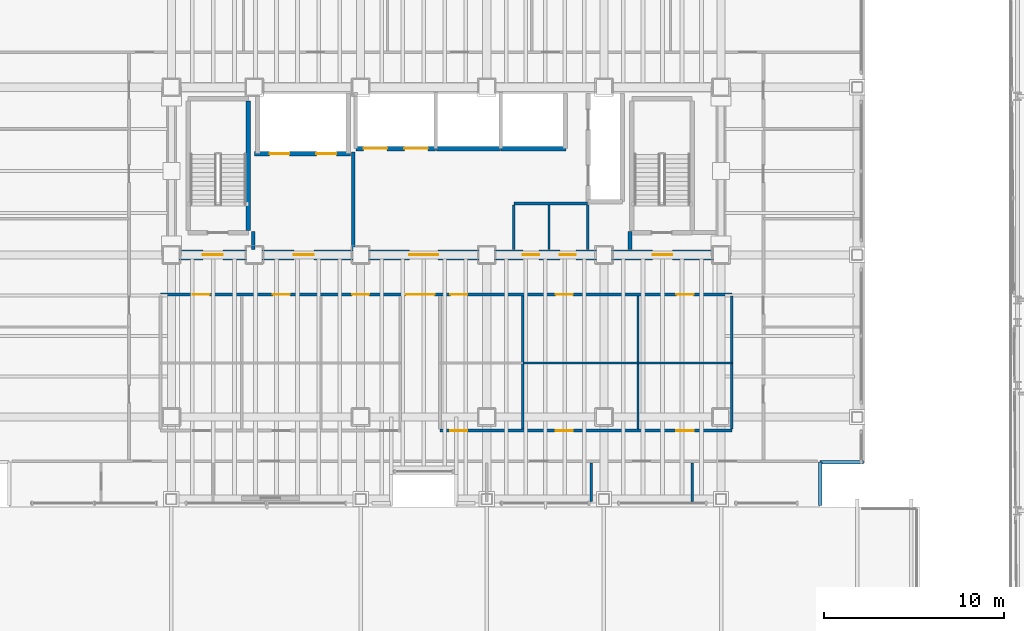
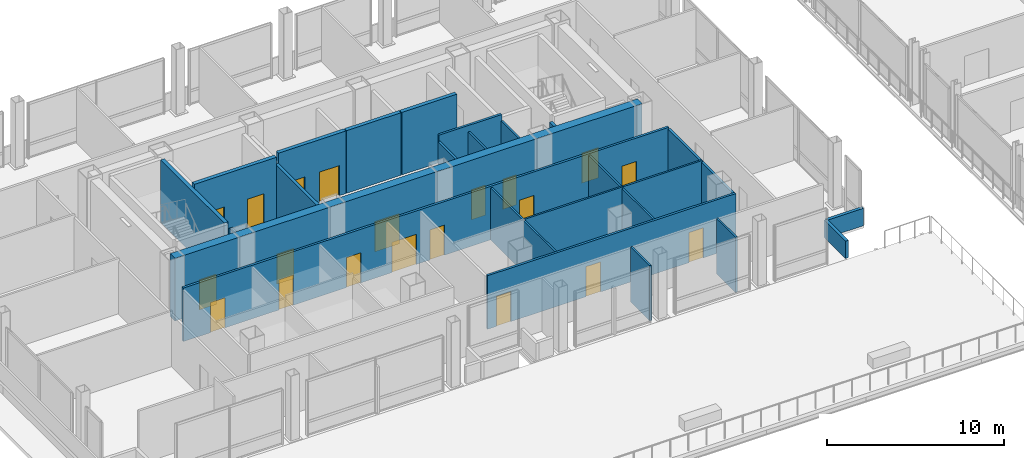
# One storey, part 27 of 34: 24 walls, 20 doors, 20 openings.
"""IFC4 building model written with IfcOpenShell, lengths in metres."""

from ifc_helpers import new_model, si_unit, direction, frame, frame_2d, origin, place, context, subcontext, project, spatial, rectangle, extrude, material, layer, layer_set, type_object, element, fill, save


model = new_model("IFC4")

# Units and contexts
model_context = context("Model", 3, precision=1e-05, world=origin(), true_north=direction((0.0, 1.0)))
body_context = subcontext(model_context, "Body", "Model", "MODEL_VIEW")
ifc_project = project(units=[si_unit("LENGTHUNIT", "METRE"), si_unit("AREAUNIT", "SQUARE_METRE"), si_unit("VOLUMEUNIT", "CUBIC_METRE"), si_unit("PLANEANGLEUNIT", "RADIAN"), si_unit("MASSUNIT", "GRAM", prefix="KILO")], contexts=[model_context])

# Site, building, storey
site_placement = place(None, origin())
site = spatial("IfcSite", under=ifc_project, at=site_placement, CompositionType="ELEMENT")
building_placement = place(site_placement, origin())
building = spatial("IfcBuilding", under=site, at=building_placement, Name="Noeulbin Bourse Tower", CompositionType="ELEMENT")
storey_placement = place(building_placement, frame((0.0, 0.0, 22.0)))
storey = spatial("IfcBuildingStorey", under=building, at=storey_placement, Name="L05", CompositionType="ELEMENT", Elevation=22.0)

# Wall, openings, doors
ifc_material_1 = material(Name="Concrete C60/75", Category="concrete")
ifc_layer_1 = layer(ifc_material_1, 0.550048828125)
ifc_layer_set_1 = layer_set([ifc_layer_1], Name="Concrete C60/75")
wall_type_1 = type_object("IfcWallType", Name="WAL-CORE-550", PredefinedType="SHEAR", material=ifc_layer_set_1)
wall_1_placement = place(storey_placement, frame((13.5, 29.0, 0.0), z_axis=(0.0, 0.0, 1.0), x_axis=(1.0, 0.0, 0.0)))
wall_1 = element("IfcWall", 1, at=wall_1_placement, inside=storey, type_object=wall_type_1, Name="Rear Core South Shear Wall L05", PredefinedType="SHEAR", context=body_context, shape_type="SweptSolid", body=[
    extrude(rectangle(XDim=30.5, YDim=0.550048828125, at=frame_2d((15.25, 0.0))), origin(), (0.0, 0.0, 1.0), 4.320068359375),
])
opening_1_placement = place(wall_1_placement, frame((1.75, 0.0, 0.0)))
opening_1 = element("IfcOpeningElement", 2, at=opening_1_placement, cuts=wall_1, Name="Opening FD-11", PredefinedType="OPENING", context=body_context, shape_type="SweptSolid", body=[
    extrude(rectangle(XDim=1.10009765625, YDim=2.080078125, at=frame_2d((0.550048828125, 1.0400390625))), frame((0.0, 0.284912109375, 0.0), z_axis=(0.0, -1.0, 0.0), x_axis=(1.0, 0.0, 0.0)), (0.0, 0.0, 1.0), 0.570068359375),
])
opening_2_placement = place(wall_1_placement, frame((26.699951171875, 0.0, 0.0)))
opening_2 = element("IfcOpeningElement", 3, at=opening_2_placement, cuts=wall_1, Name="Opening FD-11", PredefinedType="OPENING", context=body_context, shape_type="SweptSolid", body=[
    extrude(rectangle(XDim=1.10009765625, YDim=2.080078125, at=frame_2d((0.550048828125, 1.0400390625))), frame((0.0, 0.284912109375, 0.0), z_axis=(0.0, -1.0, 0.0), x_axis=(1.0, 0.0, 0.0)), (0.0, 0.0, 1.0), 0.570068359375),
])
opening_3_placement = place(wall_1_placement, frame((6.800048828125, 0.0, 0.0)))
opening_3 = element("IfcOpeningElement", 4, at=opening_3_placement, cuts=wall_1, Name="Opening FD-11", PredefinedType="OPENING", context=body_context, shape_type="SweptSolid", body=[
    extrude(rectangle(XDim=1.10009765625, YDim=2.080078125, at=frame_2d((0.550048828125, 1.0400390625))), frame((0.0, 0.284912109375, 0.0), z_axis=(0.0, -1.0, 0.0), x_axis=(1.0, 0.0, 0.0)), (0.0, 0.0, 1.0), 0.570068359375),
])
opening_4_placement = place(wall_1_placement, frame((13.199951171875, 0.0, 0.0)))
opening_4 = element("IfcOpeningElement", 5, at=opening_4_placement, cuts=wall_1, Name="Opening ID-16", PredefinedType="OPENING", context=body_context, shape_type="SweptSolid", body=[
    extrude(rectangle(XDim=1.60009765625, YDim=2.080078125, at=frame_2d((0.800048828125, 1.0400390625))), frame((0.0, 0.284912109375, 0.0), z_axis=(0.0, -1.0, 0.0), x_axis=(1.0, 0.0, 0.0)), (0.0, 0.0, 1.0), 0.570068359375),
])
opening_5_placement = place(wall_1_placement, frame((19.5, 0.0, 0.0)))
opening_5 = element("IfcOpeningElement", 6, at=opening_5_placement, cuts=wall_1, Name="Opening FD-09", PredefinedType="OPENING", context=body_context, shape_type="SweptSolid", body=[
    extrude(rectangle(XDim=0.89990234375, YDim=2.080078125, at=frame_2d((0.449951171875, 1.0400390625))), frame((0.0, 0.284912109375, 0.0), z_axis=(0.0, -1.0, 0.0), x_axis=(1.0, 0.0, 0.0)), (0.0, 0.0, 1.0), 0.570068359375),
])
opening_6_placement = place(wall_1_placement, frame((21.550048828125, 0.0, 0.0)))
opening_6 = element("IfcOpeningElement", 7, at=opening_6_placement, cuts=wall_1, Name="Opening FD-09", PredefinedType="OPENING", context=body_context, shape_type="SweptSolid", body=[
    extrude(rectangle(XDim=0.89990234375, YDim=2.080078125, at=frame_2d((0.449951171875, 1.0400390625))), frame((0.0, 0.284912109375, 0.0), z_axis=(0.0, -1.0, 0.0), x_axis=(1.0, 0.0, 0.0)), (0.0, 0.0, 1.0), 0.570068359375),
])
ifc_material_2 = material(Name="Acoustic Glazed Aluminium", Category="aluminium")
door_type_1 = type_object("IfcDoorType", Name="DR-DBL-1600", OperationType="DOUBLE_DOOR_SINGLE_SWING", PredefinedType="DOOR", material=ifc_material_2)
door_1_placement = place(opening_4_placement, origin())
door_1 = element("IfcDoor", 8, at=door_1_placement, inside=storey, type_object=door_type_1, Name="Passenger Lift Lobby Portal L05", OperationType="DOUBLE_DOOR_SINGLE_SWING", OverallHeight=2.080078125, OverallWidth=1.60009765625, PredefinedType="DOOR", context=body_context, shape_type="SweptSolid", body=[
    extrude(rectangle(XDim=1.60009765625, YDim=2.080078125, at=frame_2d((0.800048828125, 1.0400390625))), frame((0.0, 0.02490234375, 0.0), z_axis=(0.0, -1.0, 0.0), x_axis=(1.0, 0.0, 0.0)), (0.0, 0.0, 1.0), 0.050048828125),
])
fill(opening_4, door_1)
ifc_material_3 = material(Name="Fire-Rated Timber Core", Category="wood")
door_type_2 = type_object("IfcDoorType", Name="DR-FD30-900", OperationType="SINGLE_SWING_RIGHT", PredefinedType="DOOR", material=ifc_material_3)
door_2_placement = place(opening_5_placement, origin())
door_2 = element("IfcDoor", 9, at=door_2_placement, inside=storey, type_object=door_type_2, Name="Interior Door L05-05", OperationType="SINGLE_SWING_LEFT", OverallHeight=2.080078125, OverallWidth=0.89990234375, PredefinedType="DOOR", context=body_context, shape_type="SweptSolid", body=[
    extrude(rectangle(XDim=0.89990234375, YDim=2.080078125, at=frame_2d((0.449951171875, 1.0400390625))), frame((0.0, 0.02490234375, 0.0), z_axis=(0.0, -1.0, 0.0), x_axis=(1.0, 0.0, 0.0)), (0.0, 0.0, 1.0), 0.050048828125),
])
fill(opening_5, door_2)
door_3_placement = place(opening_6_placement, origin())
door_3 = element("IfcDoor", 10, at=door_3_placement, inside=storey, type_object=door_type_2, Name="Interior Door L05-06", OperationType="SINGLE_SWING_RIGHT", OverallHeight=2.080078125, OverallWidth=0.89990234375, PredefinedType="DOOR", context=body_context, shape_type="SweptSolid", body=[
    extrude(rectangle(XDim=0.89990234375, YDim=2.080078125, at=frame_2d((0.449951171875, 1.0400390625))), frame((0.0, 0.02490234375, 0.0), z_axis=(0.0, -1.0, 0.0), x_axis=(1.0, 0.0, 0.0)), (0.0, 0.0, 1.0), 0.050048828125),
])
fill(opening_6, door_3)
ifc_material_4 = material(Name="Fire-Rated Insulated Steel", Category="steel")
door_type_3 = type_object("IfcDoorType", Name="DR-FD60-1100", OperationType="SINGLE_SWING_LEFT", PredefinedType="DOOR", material=ifc_material_4)
door_4_placement = place(opening_1_placement, origin())
door_4 = element("IfcDoor", 11, at=door_4_placement, inside=storey, type_object=door_type_3, Name="West Stair Lobby Door L05", OperationType="SINGLE_SWING_LEFT", OverallHeight=2.080078125, OverallWidth=1.10009765625, PredefinedType="DOOR", context=body_context, shape_type="SweptSolid", body=[
    extrude(rectangle(XDim=1.10009765625, YDim=2.080078125, at=frame_2d((0.550048828125, 1.0400390625))), frame((0.0, 0.02490234375, 0.0), z_axis=(0.0, -1.0, 0.0), x_axis=(1.0, 0.0, 0.0)), (0.0, 0.0, 1.0), 0.050048828125),
])
fill(opening_1, door_4)
door_5_placement = place(opening_2_placement, origin())
door_5 = element("IfcDoor", 12, at=door_5_placement, inside=storey, type_object=door_type_3, Name="East Stair Lobby Door L05", OperationType="SINGLE_SWING_RIGHT", OverallHeight=2.080078125, OverallWidth=1.10009765625, PredefinedType="DOOR", context=body_context, shape_type="SweptSolid", body=[
    extrude(rectangle(XDim=1.10009765625, YDim=2.080078125, at=frame_2d((0.550048828125, 1.0400390625))), frame((0.0, 0.02490234375, 0.0), z_axis=(0.0, -1.0, 0.0), x_axis=(1.0, 0.0, 0.0)), (0.0, 0.0, 1.0), 0.050048828125),
])
fill(opening_2, door_5)
door_6_placement = place(opening_3_placement, origin())
door_6 = element("IfcDoor", 13, at=door_6_placement, inside=storey, type_object=door_type_3, Name="Firefighting Lobby Door L05", OperationType="SINGLE_SWING_LEFT", OverallHeight=2.080078125, OverallWidth=1.10009765625, PredefinedType="DOOR", context=body_context, shape_type="SweptSolid", body=[
    extrude(rectangle(XDim=1.10009765625, YDim=2.080078125, at=frame_2d((0.550048828125, 1.0400390625))), frame((0.0, 0.02490234375, 0.0), z_axis=(0.0, -1.0, 0.0), x_axis=(1.0, 0.0, 0.0)), (0.0, 0.0, 1.0), 0.050048828125),
])
fill(opening_3, door_6)

# Walls
ifc_material_5 = material(Name="Concrete C40/50", Category="concrete")
ifc_layer_2 = layer(ifc_material_5, 0.199951171875)
ifc_layer_set_2 = layer_set([ifc_layer_2], Name="Concrete C40/50")
wall_type_2 = type_object("IfcWallType", Name="WAL-FIRE-200", PredefinedType="STANDARD", material=ifc_layer_set_2)
for number, where, z_axis, x_axis, name in (
    (14, (18.050048828125, 29.284912109375, 0.0), (0.0, 0.0, 1.0), (0.0, 1.0, 0.0), "Interior Partition Wall L05-22"),
    (15, (38.949951171875, 29.284912109375, 0.0), (0.0, 0.0, 1.0), (0.0, 1.0, 0.0), "Interior Partition Wall L05-23"),
):
    element("IfcWall", number, at=place(storey_placement, frame(where, z_axis=z_axis, x_axis=x_axis)), inside=storey, type_object=wall_type_2, Name=name, PredefinedType="STANDARD", context=body_context, shape_type="SweptSolid", body=[
        extrude(rectangle(XDim=1.01513671875, YDim=0.199951171875, at=frame_2d((0.507568359375, 0.0))), origin(), (0.0, 0.0, 1.0), 3.89990234375),
    ])
wall_2_placement = place(storey_placement, frame((23.60009765625, 29.284912109375, 0.0), z_axis=(0.0, 0.0, 1.0), x_axis=(0.0, 1.0, 0.0)))
element("IfcWall", 16, at=wall_2_placement, inside=storey, type_object=wall_type_2, Name="Interior Partition Wall L05-24", PredefinedType="STANDARD", context=body_context, shape_type="SweptSolid", body=[
    extrude(rectangle(XDim=5.4150390625, YDim=0.199951171875, at=frame_2d((2.70751953125, 0.0))), origin(), (0.0, 0.0, 1.0), 3.699951171875),
])
ifc_layer_3 = layer(ifc_material_5, 0.199951171875)
ifc_layer_set_3 = layer_set([ifc_layer_3], Name="Concrete C40/50")
wall_type_3 = type_object("IfcWallType", Name="WAL-PAR-200", PredefinedType="PARAPET", material=ifc_layer_set_3)
for number, where, z_axis, x_axis, name in (
    (17, (49.5, 15.10009765625, 0.0), (0.0, 0.0, 1.0), (0.0, 1.0, 0.0), "Corner Notch Parapet L05-SE1"),
    (18, (49.5, 17.5, 0.0), (0.0, 0.0, 1.0), (1.0, 0.0, 0.0), "Corner Notch Parapet L05-SE2"),
):
    element("IfcWall", number, at=place(storey_placement, frame(where, z_axis=z_axis, x_axis=x_axis)), inside=storey, type_object=wall_type_3, Name=name, PredefinedType="PARAPET", context=body_context, shape_type="SweptSolid", body=[
        extrude(rectangle(XDim=2.39990234375, YDim=0.199951171875, at=frame_2d((1.199951171875, 0.0))), origin(), (0.0, 0.0, 1.0), 1.199951171875),
    ])
ifc_material_6 = material(Name="Steel Stud Gypsum Partition", Category="steel")
ifc_layer_4 = layer(ifc_material_6, 0.1201171875)
ifc_layer_set_4 = layer_set([ifc_layer_4], Name="Steel Stud Gypsum Partition")
wall_type_4 = type_object("IfcWallType", Name="WAL-PRT-120", PredefinedType="PARTITIONING", material=ifc_layer_set_4)
wall_3_placement = place(storey_placement, frame((33.0, 23.0, 0.0), z_axis=(0.0, 0.0, 1.0), x_axis=(1.0, 0.0, 0.0)))
element("IfcWall", 19, at=wall_3_placement, inside=storey, type_object=wall_type_4, Name="Interior Partition Wall L05-11", PredefinedType="PARTITIONING", context=body_context, shape_type="SweptSolid", body=[
    extrude(rectangle(XDim=6.39990234375, YDim=0.1201171875, at=frame_2d((3.199951171875, 0.0))), origin(), (0.0, 0.0, 1.0), 3.699951171875),
])
wall_4_placement = place(storey_placement, frame((39.39990234375, 23.0, 0.0), z_axis=(0.0, 0.0, 1.0), x_axis=(1.0, 0.0, 0.0)))
element("IfcWall", 20, at=wall_4_placement, inside=storey, type_object=wall_type_4, Name="Interior Partition Wall L05-12", PredefinedType="PARTITIONING", context=body_context, shape_type="SweptSolid", body=[
    extrude(rectangle(XDim=5.2001953125, YDim=0.1201171875, at=frame_2d((2.60009765625, 0.0))), origin(), (0.0, 0.0, 1.0), 3.699951171875),
])
for number, where, z_axis, x_axis, name in (
    (21, (36.60009765625, 29.284912109375, 0.0), (0.0, 0.0, 1.0), (0.0, 1.0, 0.0), "Interior Partition Wall L05-26"),
    (22, (34.449951171875, 29.284912109375, 0.0), (0.0, 0.0, 1.0), (0.0, 1.0, 0.0), "Interior Partition Wall L05-27"),
):
    element("IfcWall", number, at=place(storey_placement, frame(where, z_axis=z_axis, x_axis=x_axis)), inside=storey, type_object=wall_type_4, Name=name, PredefinedType="PARTITIONING", context=body_context, shape_type="SweptSolid", body=[
        extrude(rectangle(XDim=2.47998046875, YDim=0.1201171875, at=frame_2d((1.239990234375, 0.0))), origin(), (0.0, 0.0, 1.0), 3.89990234375),
    ])
for number, where, z_axis, x_axis, name in (
    (23, (36.800048828125, 15.31005859375, 0.0), (0.0, 0.0, 1.0), (0.0, 1.0, 0.0), "Interior Partition Wall L05-37"),
    (24, (42.39990234375, 15.31005859375, 0.0), (0.0, 0.0, 1.0), (0.0, 1.0, 0.0), "Interior Partition Wall L05-38"),
):
    element("IfcWall", number, at=place(storey_placement, frame(where, z_axis=z_axis, x_axis=x_axis)), inside=storey, type_object=wall_type_4, Name=name, PredefinedType="PARTITIONING", context=body_context, shape_type="SweptSolid", body=[
        extrude(rectangle(XDim=2.155029296875, YDim=0.1201171875, at=frame_2d((1.07763671875, 0.0))), origin(), (0.0, 0.0, 1.0), 3.81201171875),
    ])
for number, where, z_axis, x_axis, name in (
    (25, (33.0, 19.3349609375, 0.0), (0.0, 0.0, 1.0), (0.0, 1.0, 0.0), "Interior Partition Wall L05-41"),
    (26, (39.39990234375, 19.3349609375, 0.0), (0.0, 0.0, 1.0), (0.0, 1.0, 0.0), "Interior Partition Wall L05-42"),
):
    element("IfcWall", number, at=place(storey_placement, frame(where, z_axis=z_axis, x_axis=x_axis)), inside=storey, type_object=wall_type_4, Name=name, PredefinedType="PARTITIONING", context=body_context, shape_type="SweptSolid", body=[
        extrude(rectangle(XDim=7.380126953125, YDim=0.1201171875, at=frame_2d((3.68994140625, 0.0))), origin(), (0.0, 0.0, 1.0), 3.60009765625),
    ])
ifc_material_7 = material(Name="Steel Stud Acoustic Gypsum Board", Category="steel")
ifc_layer_5 = layer(ifc_material_7, 0.14990234375)
ifc_layer_set_5 = layer_set([ifc_layer_5], Name="Steel Stud Acoustic Gypsum Board")
wall_type_5 = type_object("IfcWallType", Name="WAL-PRT-150", PredefinedType="PARTITIONING", material=ifc_layer_set_5)
wall_5_placement = place(storey_placement, frame((32.5, 31.85009765625, 0.0), z_axis=(0.0, 0.0, 1.0), x_axis=(1.0, 0.0, 0.0)))
element("IfcWall", 27, at=wall_5_placement, inside=storey, type_object=wall_type_5, Name="Interior Partition Wall L05-02", PredefinedType="PARTITIONING", context=body_context, shape_type="SweptSolid", body=[
    extrude(rectangle(XDim=4.10009765625, YDim=0.14990234375, at=frame_2d((2.050048828125, 0.0))), origin(), (0.0, 0.0, 1.0), 4.320068359375),
])

# Wall, openings, doors
wall_6_placement = place(storey_placement, frame((12.89990234375, 26.800048828125, 0.0), z_axis=(0.0, 0.0, 1.0), x_axis=(1.0, 0.0, 0.0)))
wall_6 = element("IfcWall", 28, at=wall_6_placement, inside=storey, type_object=wall_type_5, Name="Interior Partition Wall L05-03", PredefinedType="PARTITIONING", context=body_context, shape_type="SweptSolid", body=[
    extrude(rectangle(XDim=31.7001953125, YDim=0.14990234375, at=frame_2d((15.85009765625, 0.0))), origin(), (0.0, 0.0, 1.0), 3.699951171875),
])
opening_7_placement = place(wall_6_placement, frame((13.60009765625, 0.0, 0.0)))
opening_7 = element("IfcOpeningElement", 29, at=opening_7_placement, cuts=wall_6, Name="Opening ID-16", PredefinedType="OPENING", context=body_context, shape_type="SweptSolid", body=[
    extrude(rectangle(XDim=1.60009765625, YDim=2.080078125, at=frame_2d((0.800048828125, 1.0400390625))), frame((0.0, 0.0849609375, 0.0), z_axis=(0.0, -1.0, 0.0), x_axis=(1.0, 0.0, 0.0)), (0.0, 0.0, 1.0), 0.169921875),
])
opening_8_placement = place(wall_6_placement, frame((1.77490234375, 0.0, 0.0)))
opening_8 = element("IfcOpeningElement", 30, at=opening_8_placement, cuts=wall_6, Name="Opening ID-09", PredefinedType="OPENING", context=body_context, shape_type="SweptSolid", body=[
    extrude(rectangle(XDim=0.949951171875, YDim=2.080078125, at=frame_2d((0.47509765625, 1.0400390625))), frame((0.0, 0.0849609375, 0.0), z_axis=(0.0, -1.0, 0.0), x_axis=(1.0, 0.0, 0.0)), (0.0, 0.0, 1.0), 0.169921875),
])
opening_9_placement = place(wall_6_placement, frame((6.22509765625, 0.0, 0.0)))
opening_9 = element("IfcOpeningElement", 31, at=opening_9_placement, cuts=wall_6, Name="Opening ID-09", PredefinedType="OPENING", context=body_context, shape_type="SweptSolid", body=[
    extrude(rectangle(XDim=0.949951171875, YDim=2.080078125, at=frame_2d((0.47509765625, 1.0400390625))), frame((0.0, 0.0849609375, 0.0), z_axis=(0.0, -1.0, 0.0), x_axis=(1.0, 0.0, 0.0)), (0.0, 0.0, 1.0), 0.169921875),
])
opening_10_placement = place(wall_6_placement, frame((10.625, 0.0, 0.0)))
opening_10 = element("IfcOpeningElement", 32, at=opening_10_placement, cuts=wall_6, Name="Opening ID-09", PredefinedType="OPENING", context=body_context, shape_type="SweptSolid", body=[
    extrude(rectangle(XDim=0.949951171875, YDim=2.080078125, at=frame_2d((0.47509765625, 1.0400390625))), frame((0.0, 0.0849609375, 0.0), z_axis=(0.0, -1.0, 0.0), x_axis=(1.0, 0.0, 0.0)), (0.0, 0.0, 1.0), 0.169921875),
])
opening_11_placement = place(wall_6_placement, frame((16.074951171875, 0.0, 0.0)))
opening_11 = element("IfcOpeningElement", 33, at=opening_11_placement, cuts=wall_6, Name="Opening ID-09", PredefinedType="OPENING", context=body_context, shape_type="SweptSolid", body=[
    extrude(rectangle(XDim=0.949951171875, YDim=2.080078125, at=frame_2d((0.47509765625, 1.0400390625))), frame((0.0, 0.0849609375, 0.0), z_axis=(0.0, -1.0, 0.0), x_axis=(1.0, 0.0, 0.0)), (0.0, 0.0, 1.0), 0.169921875),
])
opening_12_placement = place(wall_6_placement, frame((21.925048828125, 0.0, 0.0)))
opening_12 = element("IfcOpeningElement", 34, at=opening_12_placement, cuts=wall_6, Name="Opening ID-09", PredefinedType="OPENING", context=body_context, shape_type="SweptSolid", body=[
    extrude(rectangle(XDim=0.949951171875, YDim=2.080078125, at=frame_2d((0.47509765625, 1.0400390625))), frame((0.0, 0.0849609375, 0.0), z_axis=(0.0, -1.0, 0.0), x_axis=(1.0, 0.0, 0.0)), (0.0, 0.0, 1.0), 0.169921875),
])
opening_13_placement = place(wall_6_placement, frame((28.625, 0.0, 0.0)))
opening_13 = element("IfcOpeningElement", 35, at=opening_13_placement, cuts=wall_6, Name="Opening ID-09", PredefinedType="OPENING", context=body_context, shape_type="SweptSolid", body=[
    extrude(rectangle(XDim=0.949951171875, YDim=2.080078125, at=frame_2d((0.47509765625, 1.0400390625))), frame((0.0, 0.0849609375, 0.0), z_axis=(0.0, -1.0, 0.0), x_axis=(1.0, 0.0, 0.0)), (0.0, 0.0, 1.0), 0.169921875),
])
door_7_placement = place(opening_7_placement, origin())
door_7 = element("IfcDoor", 36, at=door_7_placement, inside=storey, type_object=door_type_1, Name="Interior Door L05-07", OperationType="DOUBLE_DOOR_SINGLE_SWING", OverallHeight=2.080078125, OverallWidth=1.60009765625, PredefinedType="DOOR", context=body_context, shape_type="SweptSolid", body=[
    extrude(rectangle(XDim=1.60009765625, YDim=2.080078125, at=frame_2d((0.800048828125, 1.0400390625))), frame((0.0, 0.02490234375, 0.0), z_axis=(0.0, -1.0, 0.0), x_axis=(1.0, 0.0, 0.0)), (0.0, 0.0, 1.0), 0.050048828125),
])
fill(opening_7, door_7)
ifc_material_8 = material(Name="Acoustic Solid-Core Timber", Category="wood")
door_type_4 = type_object("IfcDoorType", Name="DR-SINGLE-950", OperationType="SINGLE_SWING_LEFT", PredefinedType="DOOR", material=ifc_material_8)
door_8_placement = place(opening_8_placement, origin())
door_8 = element("IfcDoor", 37, at=door_8_placement, inside=storey, type_object=door_type_4, Name="Interior Door L05-14", OperationType="SINGLE_SWING_RIGHT", OverallHeight=2.080078125, OverallWidth=0.949951171875, PredefinedType="DOOR", context=body_context, shape_type="SweptSolid", body=[
    extrude(rectangle(XDim=0.949951171875, YDim=2.080078125, at=frame_2d((0.47509765625, 1.0400390625))), frame((0.0, 0.02490234375, 0.0), z_axis=(0.0, -1.0, 0.0), x_axis=(1.0, 0.0, 0.0)), (0.0, 0.0, 1.0), 0.050048828125),
])
fill(opening_8, door_8)
door_9_placement = place(opening_9_placement, origin())
door_9 = element("IfcDoor", 38, at=door_9_placement, inside=storey, type_object=door_type_4, Name="Interior Door L05-16", OperationType="SINGLE_SWING_RIGHT", OverallHeight=2.080078125, OverallWidth=0.949951171875, PredefinedType="DOOR", context=body_context, shape_type="SweptSolid", body=[
    extrude(rectangle(XDim=0.949951171875, YDim=2.080078125, at=frame_2d((0.47509765625, 1.0400390625))), frame((0.0, 0.02490234375, 0.0), z_axis=(0.0, -1.0, 0.0), x_axis=(1.0, 0.0, 0.0)), (0.0, 0.0, 1.0), 0.050048828125),
])
fill(opening_9, door_9)
door_10_placement = place(opening_10_placement, origin())
door_10 = element("IfcDoor", 39, at=door_10_placement, inside=storey, type_object=door_type_4, Name="Interior Door L05-18", OperationType="SINGLE_SWING_RIGHT", OverallHeight=2.080078125, OverallWidth=0.949951171875, PredefinedType="DOOR", context=body_context, shape_type="SweptSolid", body=[
    extrude(rectangle(XDim=0.949951171875, YDim=2.080078125, at=frame_2d((0.47509765625, 1.0400390625))), frame((0.0, 0.02490234375, 0.0), z_axis=(0.0, -1.0, 0.0), x_axis=(1.0, 0.0, 0.0)), (0.0, 0.0, 1.0), 0.050048828125),
])
fill(opening_10, door_10)
door_11_placement = place(opening_11_placement, origin())
door_11 = element("IfcDoor", 40, at=door_11_placement, inside=storey, type_object=door_type_4, Name="Interior Door L05-20", OperationType="SINGLE_SWING_RIGHT", OverallHeight=2.080078125, OverallWidth=0.949951171875, PredefinedType="DOOR", context=body_context, shape_type="SweptSolid", body=[
    extrude(rectangle(XDim=0.949951171875, YDim=2.080078125, at=frame_2d((0.47509765625, 1.0400390625))), frame((0.0, 0.02490234375, 0.0), z_axis=(0.0, -1.0, 0.0), x_axis=(1.0, 0.0, 0.0)), (0.0, 0.0, 1.0), 0.050048828125),
])
fill(opening_11, door_11)
door_12_placement = place(opening_12_placement, origin())
door_12 = element("IfcDoor", 41, at=door_12_placement, inside=storey, type_object=door_type_4, Name="Interior Door L05-22", OperationType="SINGLE_SWING_RIGHT", OverallHeight=2.080078125, OverallWidth=0.949951171875, PredefinedType="DOOR", context=body_context, shape_type="SweptSolid", body=[
    extrude(rectangle(XDim=0.949951171875, YDim=2.080078125, at=frame_2d((0.47509765625, 1.0400390625))), frame((0.0, 0.02490234375, 0.0), z_axis=(0.0, -1.0, 0.0), x_axis=(1.0, 0.0, 0.0)), (0.0, 0.0, 1.0), 0.050048828125),
])
fill(opening_12, door_12)
door_13_placement = place(opening_13_placement, origin())
door_13 = element("IfcDoor", 42, at=door_13_placement, inside=storey, type_object=door_type_4, Name="Interior Door L05-24", OperationType="SINGLE_SWING_RIGHT", OverallHeight=2.080078125, OverallWidth=0.949951171875, PredefinedType="DOOR", context=body_context, shape_type="SweptSolid", body=[
    extrude(rectangle(XDim=0.949951171875, YDim=2.080078125, at=frame_2d((0.47509765625, 1.0400390625))), frame((0.0, 0.02490234375, 0.0), z_axis=(0.0, -1.0, 0.0), x_axis=(1.0, 0.0, 0.0)), (0.0, 0.0, 1.0), 0.050048828125),
])
fill(opening_13, door_13)

wall_7_placement = place(storey_placement, frame((28.39990234375, 19.25, 0.0), z_axis=(0.0, 0.0, 1.0), x_axis=(1.0, 0.0, 0.0)))
wall_7 = element("IfcWall", 43, at=wall_7_placement, inside=storey, type_object=wall_type_5, Name="Interior Partition Wall L05-06", PredefinedType="PARTITIONING", context=body_context, shape_type="SweptSolid", body=[
    extrude(rectangle(XDim=16.2001953125, YDim=0.14990234375, at=frame_2d((8.10009765625, 0.0))), origin(), (0.0, 0.0, 1.0), 3.699951171875),
])
opening_14_placement = place(wall_7_placement, frame((0.574951171875, 0.0, 0.0)))
opening_14 = element("IfcOpeningElement", 44, at=opening_14_placement, cuts=wall_7, Name="Opening ID-09", PredefinedType="OPENING", context=body_context, shape_type="SweptSolid", body=[
    extrude(rectangle(XDim=0.949951171875, YDim=2.080078125, at=frame_2d((0.47509765625, 1.0400390625))), frame((0.0, 0.0849609375, 0.0), z_axis=(0.0, -1.0, 0.0), x_axis=(1.0, 0.0, 0.0)), (0.0, 0.0, 1.0), 0.169921875),
])
opening_15_placement = place(wall_7_placement, frame((6.425048828125, 0.0, 0.0)))
opening_15 = element("IfcOpeningElement", 45, at=opening_15_placement, cuts=wall_7, Name="Opening ID-09", PredefinedType="OPENING", context=body_context, shape_type="SweptSolid", body=[
    extrude(rectangle(XDim=0.949951171875, YDim=2.080078125, at=frame_2d((0.47509765625, 1.0400390625))), frame((0.0, 0.0849609375, 0.0), z_axis=(0.0, -1.0, 0.0), x_axis=(1.0, 0.0, 0.0)), (0.0, 0.0, 1.0), 0.169921875),
])
opening_16_placement = place(wall_7_placement, frame((13.125, 0.0, 0.0)))
opening_16 = element("IfcOpeningElement", 46, at=opening_16_placement, cuts=wall_7, Name="Opening ID-09", PredefinedType="OPENING", context=body_context, shape_type="SweptSolid", body=[
    extrude(rectangle(XDim=0.949951171875, YDim=2.080078125, at=frame_2d((0.47509765625, 1.0400390625))), frame((0.0, 0.0849609375, 0.0), z_axis=(0.0, -1.0, 0.0), x_axis=(1.0, 0.0, 0.0)), (0.0, 0.0, 1.0), 0.169921875),
])
door_14_placement = place(opening_14_placement, origin())
door_14 = element("IfcDoor", 47, at=door_14_placement, inside=storey, type_object=door_type_4, Name="Interior Door L05-21", OperationType="SINGLE_SWING_LEFT", OverallHeight=2.080078125, OverallWidth=0.949951171875, PredefinedType="DOOR", context=body_context, shape_type="SweptSolid", body=[
    extrude(rectangle(XDim=0.949951171875, YDim=2.080078125, at=frame_2d((0.47509765625, 1.0400390625))), frame((0.0, 0.02490234375, 0.0), z_axis=(0.0, -1.0, 0.0), x_axis=(1.0, 0.0, 0.0)), (0.0, 0.0, 1.0), 0.050048828125),
])
fill(opening_14, door_14)
door_15_placement = place(opening_15_placement, origin())
door_15 = element("IfcDoor", 48, at=door_15_placement, inside=storey, type_object=door_type_4, Name="Interior Door L05-23", OperationType="SINGLE_SWING_LEFT", OverallHeight=2.080078125, OverallWidth=0.949951171875, PredefinedType="DOOR", context=body_context, shape_type="SweptSolid", body=[
    extrude(rectangle(XDim=0.949951171875, YDim=2.080078125, at=frame_2d((0.47509765625, 1.0400390625))), frame((0.0, 0.02490234375, 0.0), z_axis=(0.0, -1.0, 0.0), x_axis=(1.0, 0.0, 0.0)), (0.0, 0.0, 1.0), 0.050048828125),
])
fill(opening_15, door_15)
door_16_placement = place(opening_16_placement, origin())
door_16 = element("IfcDoor", 49, at=door_16_placement, inside=storey, type_object=door_type_4, Name="Interior Door L05-25", OperationType="SINGLE_SWING_LEFT", OverallHeight=2.080078125, OverallWidth=0.949951171875, PredefinedType="DOOR", context=body_context, shape_type="SweptSolid", body=[
    extrude(rectangle(XDim=0.949951171875, YDim=2.080078125, at=frame_2d((0.47509765625, 1.0400390625))), frame((0.0, 0.02490234375, 0.0), z_axis=(0.0, -1.0, 0.0), x_axis=(1.0, 0.0, 0.0)), (0.0, 0.0, 1.0), 0.050048828125),
])
fill(opening_16, door_16)

# Walls
wall_8_placement = place(storey_placement, frame((32.5, 29.284912109375, 0.0), z_axis=(0.0, 0.0, 1.0), x_axis=(0.0, 1.0, 0.0)))
element("IfcWall", 50, at=wall_8_placement, inside=storey, type_object=wall_type_5, Name="Interior Partition Wall L05-25", PredefinedType="PARTITIONING", context=body_context, shape_type="SweptSolid", body=[
    extrude(rectangle(XDim=2.47998046875, YDim=0.14990234375, at=frame_2d((1.239990234375, 0.0))), origin(), (0.0, 0.0, 1.0), 3.89990234375),
])
wall_9_placement = place(storey_placement, frame((44.60009765625, 19.3349609375, 0.0), z_axis=(0.0, 0.0, 1.0), x_axis=(0.0, 1.0, 0.0)))
element("IfcWall", 51, at=wall_9_placement, inside=storey, type_object=wall_type_5, Name="Interior Partition Wall L05-33", PredefinedType="PARTITIONING", context=body_context, shape_type="SweptSolid", body=[
    extrude(rectangle(XDim=7.380126953125, YDim=0.14990234375, at=frame_2d((3.68994140625, 0.0))), origin(), (0.0, 0.0, 1.0), 3.60009765625),
])
ifc_layer_6 = layer(ifc_material_5, 0.25)
ifc_layer_set_6 = layer_set([ifc_layer_6], Name="Concrete C40/50")
wall_type_6 = type_object("IfcWallType", Name="WAL-SHFT-250", PredefinedType="STANDARD", material=ifc_layer_set_6)
wall_10_placement = place(storey_placement, frame((17.77490234375, 30.360107421875, 0.0), z_axis=(0.0, 0.0, 1.0), x_axis=(0.0, 1.0, 0.0)))
element("IfcWall", 52, at=wall_10_placement, inside=storey, type_object=wall_type_6, Name="Stair ST-1 East Shaft Wall L05", PredefinedType="STANDARD", context=body_context, shape_type="SweptSolid", body=[
    extrude(rectangle(XDim=7.183837890625, YDim=0.25, at=frame_2d((3.591796875, 0.0))), origin(), (0.0, 0.0, 1.0), 4.320068359375),
])

# Wall, openings, doors
wall_11_placement = place(storey_placement, frame((18.10009765625, 34.6201171875, 0.0), z_axis=(0.0, 0.0, 1.0), x_axis=(1.0, 0.0, 0.0)))
wall_11 = element("IfcWall", 53, at=wall_11_placement, inside=storey, type_object=wall_type_6, Name="Firefighting Lift Shaft Front L05", PredefinedType="STANDARD", context=body_context, shape_type="SweptSolid", body=[
    extrude(rectangle(XDim=5.349853515625, YDim=0.25, at=frame_2d((2.6748046875, 0.0))), origin(), (0.0, 0.0, 1.0), 4.320068359375),
])
opening_17_placement = place(wall_11_placement, frame((0.85009765625, 0.0, 0.0)))
opening_17 = element("IfcOpeningElement", 54, at=opening_17_placement, cuts=wall_11, Name="Opening LD-11", PredefinedType="OPENING", context=body_context, shape_type="SweptSolid", body=[
    extrude(rectangle(XDim=1.10009765625, YDim=2.080078125, at=frame_2d((0.550048828125, 1.0400390625))), frame((0.0, 0.135009765625, 0.0), z_axis=(0.0, -1.0, 0.0), x_axis=(1.0, 0.0, 0.0)), (0.0, 0.0, 1.0), 0.27001953125),
])
opening_18_placement = place(wall_11_placement, frame((3.449951171875, 0.0, 0.0)))
opening_18 = element("IfcOpeningElement", 55, at=opening_18_placement, cuts=wall_11, Name="Opening LD-11", PredefinedType="OPENING", context=body_context, shape_type="SweptSolid", body=[
    extrude(rectangle(XDim=1.10009765625, YDim=2.080078125, at=frame_2d((0.550048828125, 1.0400390625))), frame((0.0, 0.135009765625, 0.0), z_axis=(0.0, -1.0, 0.0), x_axis=(1.0, 0.0, 0.0)), (0.0, 0.0, 1.0), 0.27001953125),
])
ifc_material_9 = material(Name="Brushed Stainless Steel 316", Category="steel")
door_type_5 = type_object("IfcDoorType", Name="DR-LIFT-1100", OperationType="SLIDING_TO_LEFT", PredefinedType="DOOR", material=ifc_material_9)
door_17_placement = place(opening_17_placement, origin())
door_17 = element("IfcDoor", 56, at=door_17_placement, inside=storey, type_object=door_type_5, Name="Lift Landing Door LD-FL-01-L05", OperationType="SLIDING_TO_LEFT", OverallHeight=2.080078125, OverallWidth=1.10009765625, PredefinedType="DOOR", context=body_context, shape_type="SweptSolid", body=[
    extrude(rectangle(XDim=1.10009765625, YDim=2.080078125, at=frame_2d((0.550048828125, 1.0400390625))), frame((0.0, 0.02490234375, 0.0), z_axis=(0.0, -1.0, 0.0), x_axis=(1.0, 0.0, 0.0)), (0.0, 0.0, 1.0), 0.050048828125),
])
fill(opening_17, door_17)
door_18_placement = place(opening_18_placement, origin())
door_18 = element("IfcDoor", 57, at=door_18_placement, inside=storey, type_object=door_type_5, Name="Lift Landing Door LD-FL-02-L05", OperationType="SLIDING_TO_LEFT", OverallHeight=2.080078125, OverallWidth=1.10009765625, PredefinedType="DOOR", context=body_context, shape_type="SweptSolid", body=[
    extrude(rectangle(XDim=1.10009765625, YDim=2.080078125, at=frame_2d((0.550048828125, 1.0400390625))), frame((0.0, 0.02490234375, 0.0), z_axis=(0.0, -1.0, 0.0), x_axis=(1.0, 0.0, 0.0)), (0.0, 0.0, 1.0), 0.050048828125),
])
fill(opening_18, door_18)

wall_12_placement = place(storey_placement, frame((23.75, 34.89990234375, 0.0), z_axis=(0.0, 0.0, 1.0), x_axis=(1.0, 0.0, 0.0)))
wall_12 = element("IfcWall", 58, at=wall_12_placement, inside=storey, type_object=wall_type_6, Name="Low-Rise Lift Bank Front L05", PredefinedType="STANDARD", context=body_context, shape_type="SweptSolid", body=[
    extrude(rectangle(XDim=4.39990234375, YDim=0.25, at=frame_2d((2.199951171875, 0.0))), origin(), (0.0, 0.0, 1.0), 4.320068359375),
])
opening_19_placement = place(wall_12_placement, frame((0.419921875, 0.0, 0.0)))
opening_19 = element("IfcOpeningElement", 59, at=opening_19_placement, cuts=wall_12, Name="Opening LD-13", PredefinedType="OPENING", context=body_context, shape_type="SweptSolid", body=[
    extrude(rectangle(XDim=1.300048828125, YDim=2.080078125, at=frame_2d((0.64990234375, 1.0400390625))), frame((0.0, 0.135009765625, 0.0), z_axis=(0.0, -1.0, 0.0), x_axis=(1.0, 0.0, 0.0)), (0.0, 0.0, 1.0), 0.27001953125),
])
opening_20_placement = place(wall_12_placement, frame((2.679931640625, 0.0, 0.0)))
opening_20 = element("IfcOpeningElement", 60, at=opening_20_placement, cuts=wall_12, Name="Opening LD-13", PredefinedType="OPENING", context=body_context, shape_type="SweptSolid", body=[
    extrude(rectangle(XDim=1.300048828125, YDim=2.080078125, at=frame_2d((0.64990234375, 1.0400390625))), frame((0.0, 0.135009765625, 0.0), z_axis=(0.0, -1.0, 0.0), x_axis=(1.0, 0.0, 0.0)), (0.0, 0.0, 1.0), 0.27001953125),
])
door_type_6 = type_object("IfcDoorType", Name="DR-LIFT-1300", OperationType="DOUBLE_DOOR_SLIDING", PredefinedType="DOOR", material=ifc_material_9)
door_19_placement = place(opening_19_placement, origin())
door_19 = element("IfcDoor", 61, at=door_19_placement, inside=storey, type_object=door_type_6, Name="Lift Landing Door LD-PL-L1-L05", OperationType="DOUBLE_DOOR_SLIDING", OverallHeight=2.080078125, OverallWidth=1.300048828125, PredefinedType="DOOR", context=body_context, shape_type="SweptSolid", body=[
    extrude(rectangle(XDim=1.300048828125, YDim=2.080078125, at=frame_2d((0.64990234375, 1.0400390625))), frame((0.0, 0.02490234375, 0.0), z_axis=(0.0, -1.0, 0.0), x_axis=(1.0, 0.0, 0.0)), (0.0, 0.0, 1.0), 0.050048828125),
])
fill(opening_19, door_19)
door_20_placement = place(opening_20_placement, origin())
door_20 = element("IfcDoor", 62, at=door_20_placement, inside=storey, type_object=door_type_6, Name="Lift Landing Door LD-PL-L2-L05", OperationType="DOUBLE_DOOR_SLIDING", OverallHeight=2.080078125, OverallWidth=1.300048828125, PredefinedType="DOOR", context=body_context, shape_type="SweptSolid", body=[
    extrude(rectangle(XDim=1.300048828125, YDim=2.080078125, at=frame_2d((0.64990234375, 1.0400390625))), frame((0.0, 0.02490234375, 0.0), z_axis=(0.0, -1.0, 0.0), x_axis=(1.0, 0.0, 0.0)), (0.0, 0.0, 1.0), 0.050048828125),
])
fill(opening_20, door_20)

# Walls
wall_13_placement = place(storey_placement, frame((28.199951171875, 34.89990234375, 0.0), z_axis=(0.0, 0.0, 1.0), x_axis=(1.0, 0.0, 0.0)))
element("IfcWall", 63, at=wall_13_placement, inside=storey, type_object=wall_type_6, Name="Mid-Rise Lift Bank Front L05", PredefinedType="STANDARD", context=body_context, shape_type="SweptSolid", body=[
    extrude(rectangle(XDim=3.550048828125, YDim=0.25, at=frame_2d((1.77490234375, 0.0))), origin(), (0.0, 0.0, 1.0), 4.320068359375),
])
wall_14_placement = place(storey_placement, frame((31.800048828125, 34.89990234375, 0.0), z_axis=(0.0, 0.0, 1.0), x_axis=(1.0, 0.0, 0.0)))
element("IfcWall", 64, at=wall_14_placement, inside=storey, type_object=wall_type_6, Name="High-Rise Lift Bank Front L05", PredefinedType="STANDARD", context=body_context, shape_type="SweptSolid", body=[
    extrude(rectangle(XDim=3.599853515625, YDim=0.25, at=frame_2d((1.7998046875, 0.0))), origin(), (0.0, 0.0, 1.0), 4.320068359375),
])

save(model, "model.ifc")
